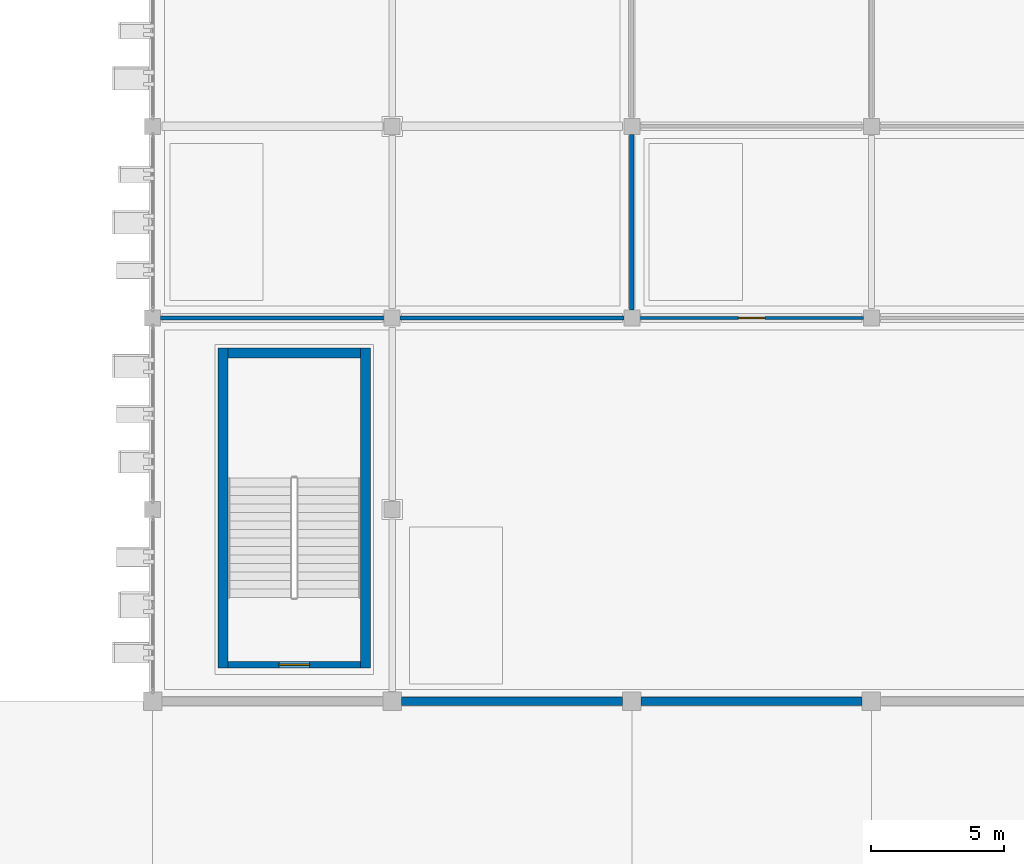
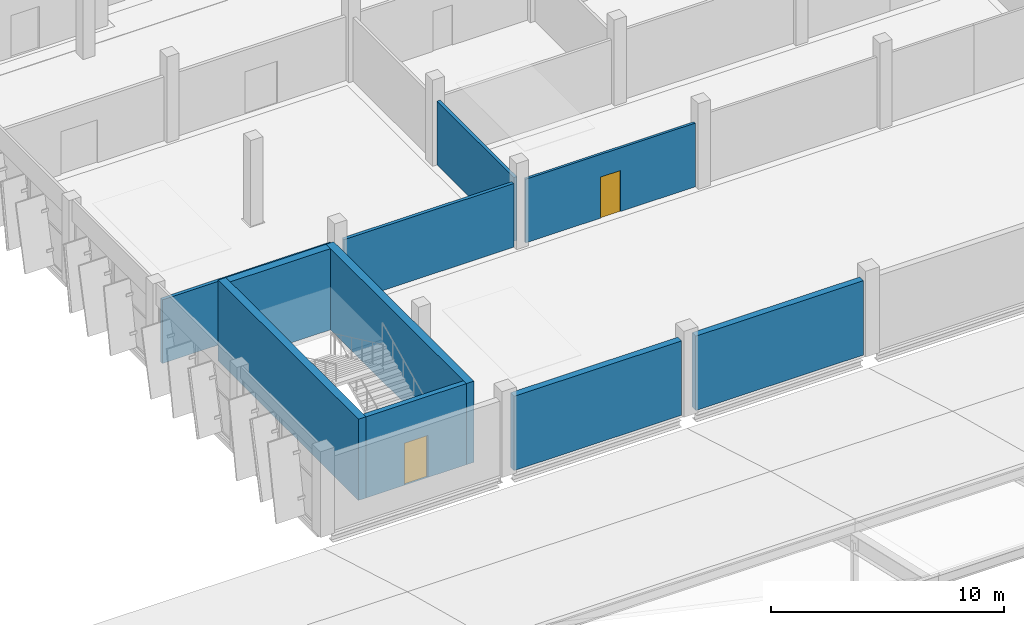
# One storey, part 100 of 124: 10 walls, 2 doors, 2 openings.
"""IFC4 building model written with IfcOpenShell, lengths in metres."""

from ifc_helpers import new_model, si_unit, direction, frame, frame_2d, origin, place, context, subcontext, project, spatial, rectangle, extrude, material, layer, layer_set, type_object, element, fill, save


model = new_model("IFC4")

# Units and contexts
model_context = context("Model", 3, precision=1e-05, world=origin(), true_north=direction((0.0, 1.0)))
body_context = subcontext(model_context, "Body", "Model", "MODEL_VIEW")
ifc_project = project(units=[si_unit("LENGTHUNIT", "METRE"), si_unit("AREAUNIT", "SQUARE_METRE"), si_unit("VOLUMEUNIT", "CUBIC_METRE"), si_unit("PLANEANGLEUNIT", "RADIAN"), si_unit("MASSUNIT", "GRAM", prefix="KILO")], contexts=[model_context])

# Site, building, storey
site_placement = place(None, origin())
site = spatial("IfcSite", under=ifc_project, at=site_placement, CompositionType="ELEMENT")
building_placement = place(site_placement, origin())
building = spatial("IfcBuilding", under=site, at=building_placement, Name="Celestram Park Convention Centre", CompositionType="ELEMENT")
storey_placement = place(building_placement, frame((0.0, 0.0, 15.300048828125)))
storey = spatial("IfcBuildingStorey", under=building, at=storey_placement, Name="L03", CompositionType="ELEMENT", Elevation=15.300048828125)

# Wall, opening, door
ifc_material_1 = material(Name="Concrete Block Masonry C25/30", Category="masonry")
ifc_layer_1 = layer(ifc_material_1, 0.25)
ifc_layer_set_1 = layer_set([ifc_layer_1], Name="Concrete Block Masonry C25/30")
wall_type_1 = type_object("IfcWallType", Name="ARC-WL-COR250", PredefinedType="STANDARD", material=ifc_layer_set_1)
wall_1_placement = place(storey_placement, frame((38.840087890625, 109.375, 0.0), z_axis=(0.0, 0.0, 1.0), x_axis=(1.0, 0.0, 0.0)))
wall_1 = element("IfcWall", 1, at=wall_1_placement, inside=storey, type_object=wall_type_1, Name="Core S13 stair entrance wall", PredefinedType="STANDARD", context=body_context, shape_type="SweptSolid", body=[
    extrude(rectangle(XDim=4.9599609375, YDim=0.25, at=frame_2d((2.47998046875, 0.0))), origin(), (0.0, 0.0, 1.0), 4.25),
])
opening_1_placement = place(wall_1_placement, frame((1.905029296875, 0.0, 0.0)))
opening_1 = element("IfcOpeningElement", 2, at=opening_1_placement, cuts=wall_1, Name="Opening D-ST1", PredefinedType="OPENING", context=body_context, shape_type="SweptSolid", body=[
    extrude(rectangle(XDim=1.14990234375, YDim=2.199951171875, at=frame_2d((0.574951171875, 1.10009765625))), frame((0.0, 0.135009765625, 0.0), z_axis=(0.0, -1.0, 0.0), x_axis=(1.0, 0.0, 0.0)), (0.0, 0.0, 1.0), 0.27001953125),
])
ifc_material_2 = material(Name="Fire-Rated Hollow Metal Steel ASTM A653", Category="steel")
door_type_1 = type_object("IfcDoorType", Name="ARC-DR-ST115", OperationType="NOTDEFINED", PredefinedType="DOOR", material=ifc_material_2)
door_1_placement = place(opening_1_placement, origin())
door_1 = element("IfcDoor", 3, at=door_1_placement, inside=storey, type_object=door_type_1, Name="Exit stair ST-13 fire door", OperationType="SINGLE_SWING_LEFT", OverallHeight=2.199951171875, OverallWidth=1.14990234375, PredefinedType="DOOR", context=body_context, shape_type="SweptSolid", body=[
    extrude(rectangle(XDim=1.14990234375, YDim=2.199951171875, at=frame_2d((0.574951171875, 1.10009765625))), frame((0.0, 0.02490234375, 0.0), z_axis=(0.0, -1.0, 0.0), x_axis=(1.0, 0.0, 0.0)), (0.0, 0.0, 1.0), 0.050048828125),
])
fill(opening_1, door_1)

# Walls
ifc_material_3 = material(Name="Precast Concrete C40/50", Category="concrete")
ifc_layer_2 = layer(ifc_material_3, 0.320068359375)
ifc_layer_set_2 = layer_set([ifc_layer_2], Name="Precast Concrete C40/50")
wall_type_2 = type_object("IfcWallType", Name="ARC-WL-EXT320", PredefinedType="STANDARD", material=ifc_layer_set_2)
for number, where, z_axis, x_axis, name in (
    (4, (62.652099609375, 108.0, 0.0), (0.0, 0.0, 1.0), (-1.0, 0.0, 0.0), "Bush-hammered precast exterior wall WL-L03-EW186"),
    (5, (53.652099609375, 108.0, 0.0), (0.0, 0.0, 1.0), (-1.0, 0.0, 0.0), "Bush-hammered precast exterior wall WL-L03-EW187"),
):
    element("IfcWall", number, at=place(storey_placement, frame(where, z_axis=z_axis, x_axis=x_axis)), inside=storey, type_object=wall_type_2, Name=name, PredefinedType="STANDARD", context=body_context, shape_type="SweptSolid", body=[
        extrude(rectangle(XDim=8.30419921875, YDim=0.320068359375, at=frame_2d((4.152099609375, 0.0))), origin(), (0.0, 0.0, 1.0), 3.89404296875),
    ])

# Wall, opening, door
ifc_material_4 = material(Name="Standard Gypsum & Steel Stud 120 mm", Category="steel")
ifc_layer_3 = layer(ifc_material_4, 0.1201171875)
ifc_layer_set_3 = layer_set([ifc_layer_3], Name="Standard Gypsum & Steel Stud 120 mm")
wall_type_3 = type_object("IfcWallType", Name="ARC-WL-PRT120", PredefinedType="PARTITIONING", material=ifc_layer_set_3)
wall_2_placement = place(storey_placement, frame((54.298095703125, 122.39990234375, 0.0), z_axis=(0.0, 0.0, 1.0), x_axis=(1.0, 0.0, 0.0)))
wall_2 = element("IfcWall", 6, at=wall_2_placement, inside=storey, type_object=wall_type_3, Name="Interior partition WL-L03-IN0881", PredefinedType="PARTITIONING", context=body_context, shape_type="SweptSolid", body=[
    extrude(rectangle(XDim=8.40380859375, YDim=0.1201171875, at=frame_2d((4.201904296875, 0.0))), origin(), (0.0, 0.0, 1.0), 3.3359375),
])
opening_2_placement = place(wall_2_placement, frame((3.701904296875, 0.0, 0.0)))
opening_2 = element("IfcOpeningElement", 7, at=opening_2_placement, cuts=wall_2, Name="Opening D-07", PredefinedType="OPENING", context=body_context, shape_type="SweptSolid", body=[
    extrude(rectangle(XDim=1.0, YDim=2.14990234375, at=frame_2d((0.5, 1.074951171875))), frame((0.0, 0.070068359375, 0.0), z_axis=(0.0, -1.0, 0.0), x_axis=(1.0, 0.0, 0.0)), (0.0, 0.0, 1.0), 0.14013671875),
])
ifc_material_5 = material(Name="Solid Core White Oak Single Door", Category="wood")
door_type_2 = type_object("IfcDoorType", Name="ARC-DR-RM100", OperationType="NOTDEFINED", PredefinedType="DOOR", material=ifc_material_5)
door_2_placement = place(opening_2_placement, origin())
door_2 = element("IfcDoor", 8, at=door_2_placement, inside=storey, type_object=door_type_2, Name="Concourse Delegate Lounge L03 entrance door", OperationType="SINGLE_SWING_RIGHT", OverallHeight=2.14990234375, OverallWidth=1.0, PredefinedType="DOOR", context=body_context, shape_type="SweptSolid", body=[
    extrude(rectangle(XDim=1.0, YDim=2.14990234375, at=frame_2d((0.5, 1.074951171875))), frame((0.0, 0.02490234375, 0.0), z_axis=(0.0, -1.0, 0.0), x_axis=(1.0, 0.0, 0.0)), (0.0, 0.0, 1.0), 0.050048828125),
])
fill(opening_2, door_2)

# Walls
ifc_material_6 = material(Name="Acoustic Gypsum & Steel Stud 160 mm", Category="steel")
ifc_layer_4 = layer(ifc_material_6, 0.159912109375)
ifc_layer_set_4 = layer_set([ifc_layer_4], Name="Acoustic Gypsum & Steel Stud 160 mm")
wall_type_4 = type_object("IfcWallType", Name="ARC-WL-PRT160", PredefinedType="PARTITIONING", material=ifc_layer_set_4)
for number, where, z_axis, x_axis, name in (
    (9, (36.298095703125, 122.39990234375, 0.0), (0.0, 0.0, 1.0), (1.0, 0.0, 0.0), "Interior partition WL-L03-IN0879"),
    (10, (45.298095703125, 122.39990234375, 0.0), (0.0, 0.0, 1.0), (1.0, 0.0, 0.0), "Interior partition WL-L03-IN0880"),
):
    element("IfcWall", number, at=place(storey_placement, frame(where, z_axis=z_axis, x_axis=x_axis)), inside=storey, type_object=wall_type_4, Name=name, PredefinedType="PARTITIONING", context=body_context, shape_type="SweptSolid", body=[
        extrude(rectangle(XDim=8.40380859375, YDim=0.159912109375, at=frame_2d((4.201904296875, 0.0))), origin(), (0.0, 0.0, 1.0), 3.3359375),
    ])
wall_3_placement = place(storey_placement, frame((54.0, 122.697998046875, 0.0), z_axis=(0.0, 0.0, 1.0), x_axis=(0.0, 1.0, 0.0)))
element("IfcWall", 11, at=wall_3_placement, inside=storey, type_object=wall_type_4, Name="Interior partition WL-L03-IN0915", PredefinedType="PARTITIONING", context=body_context, shape_type="SweptSolid", body=[
    extrude(rectangle(XDim=6.60400390625, YDim=0.159912109375, at=frame_2d((3.302001953125, 0.0))), origin(), (0.0, 0.0, 1.0), 3.3359375),
])
ifc_material_7 = material(Name="Concrete C40/50", Category="concrete")
ifc_layer_5 = layer(ifc_material_7, 0.3798828125)
ifc_layer_set_5 = layer_set([ifc_layer_5], Name="Concrete C40/50")
wall_type_5 = type_object("IfcWallType", Name="STR-WL-SHR380", PredefinedType="SHEAR", material=ifc_layer_set_5)
for number, where, z_axis, x_axis, name in (
    (12, (38.64990234375, 109.25, 0.0), (0.0, 0.0, 1.0), (0.0, 1.0, 0.0), "Core S13 shear wall L"),
    (13, (43.989990234375, 121.280029296875, 0.0), (0.0, 0.0, 1.0), (0.0, -1.0, 0.0), "Core S13 shear wall R"),
):
    element("IfcWall", number, at=place(storey_placement, frame(where, z_axis=z_axis, x_axis=x_axis)), inside=storey, type_object=wall_type_5, Name=name, PredefinedType="SHEAR", context=body_context, shape_type="SweptSolid", body=[
        extrude(rectangle(XDim=12.030029296875, YDim=0.3798828125, at=frame_2d((6.01513671875, 0.0))), origin(), (0.0, 0.0, 1.0), 4.25),
    ])
wall_4_placement = place(storey_placement, frame((38.840087890625, 121.090087890625, 0.0), z_axis=(0.0, 0.0, 1.0), x_axis=(1.0, 0.0, 0.0)))
element("IfcWall", 14, at=wall_4_placement, inside=storey, type_object=wall_type_5, Name="Core S13 shear wall F", PredefinedType="SHEAR", context=body_context, shape_type="SweptSolid", body=[
    extrude(rectangle(XDim=4.9599609375, YDim=0.3798828125, at=frame_2d((2.47998046875, 0.0))), origin(), (0.0, 0.0, 1.0), 4.25),
])

save(model, "model.ifc")
